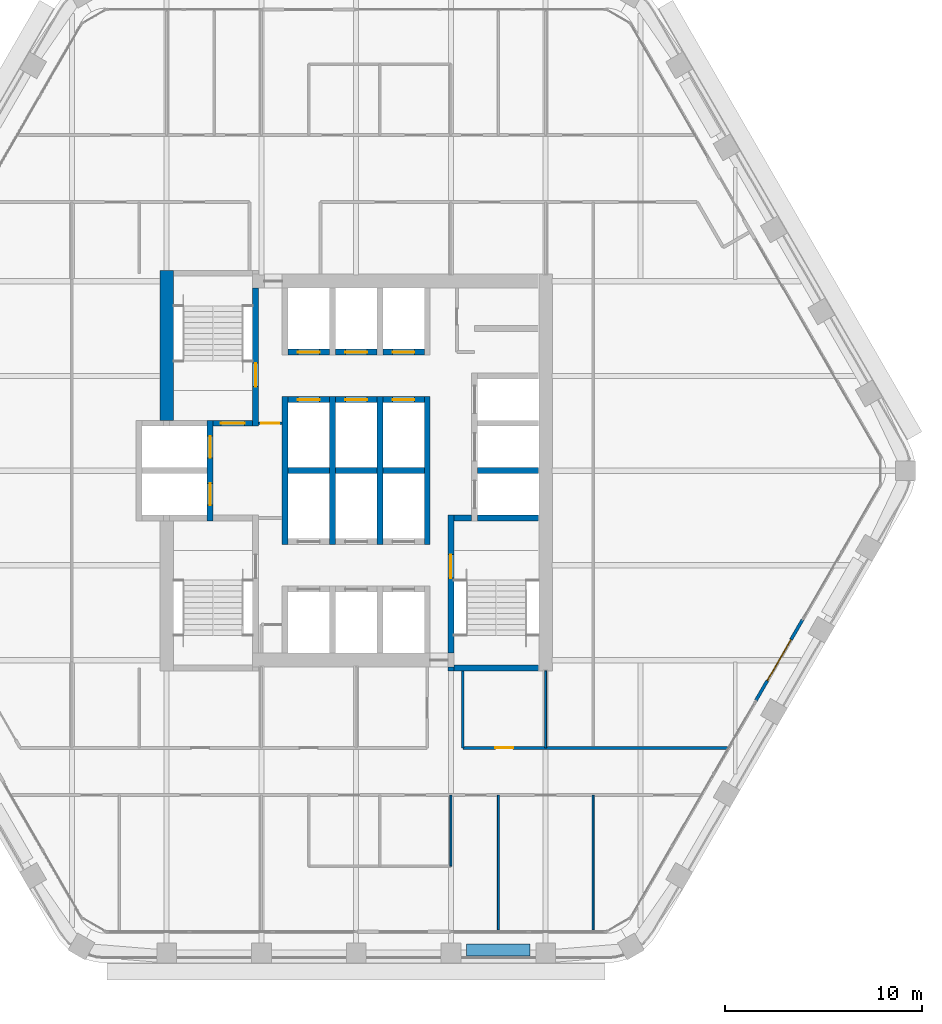
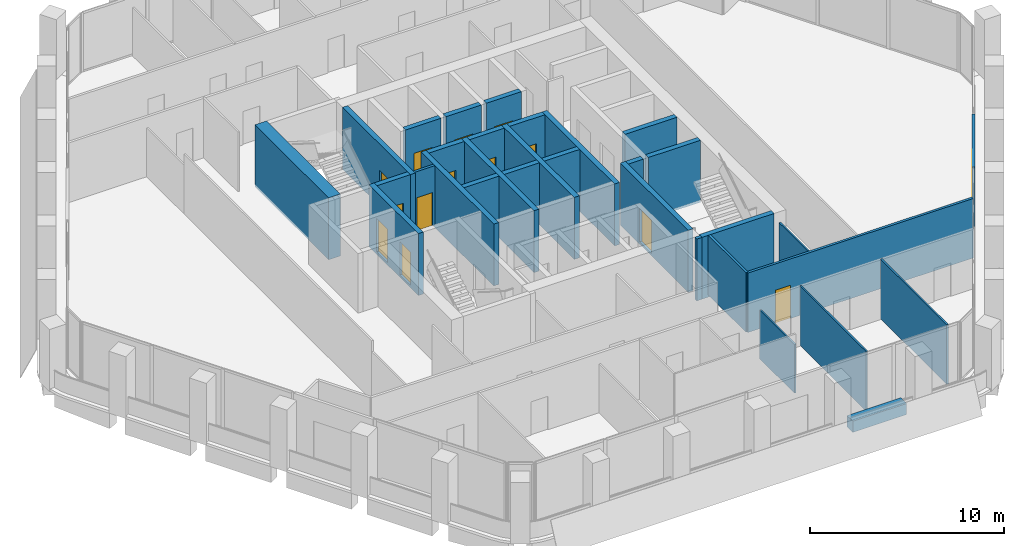
# One storey, part 10 of 15: 32 walls, 14 doors, 14 openings.
"""IFC4 building model written with IfcOpenShell, lengths in metres."""

from ifc_helpers import new_model, si_unit, direction, frame, frame_2d, origin, place, context, subcontext, project, spatial, rectangle, extrude, material, layer, layer_set, type_object, element, fill, save


model = new_model("IFC4")

# Units and contexts
model_context = context("Model", 3, precision=1e-05, world=origin(), true_north=direction((0.0, 1.0)))
body_context = subcontext(model_context, "Body", "Model", "MODEL_VIEW")
ifc_project = project(units=[si_unit("LENGTHUNIT", "METRE"), si_unit("AREAUNIT", "SQUARE_METRE"), si_unit("VOLUMEUNIT", "CUBIC_METRE"), si_unit("PLANEANGLEUNIT", "RADIAN"), si_unit("MASSUNIT", "GRAM", prefix="KILO")], contexts=[model_context])

# Site, building, storey
site_placement = place(None, origin())
site = spatial("IfcSite", under=ifc_project, at=site_placement, CompositionType="ELEMENT")
building_placement = place(site_placement, origin())
building = spatial("IfcBuilding", under=site, at=building_placement, Name="Kolab Exchange Tower", CompositionType="ELEMENT")
storey_placement = place(building_placement, frame((0.0, 0.0, 173.89990234375)))
storey = spatial("IfcBuildingStorey", under=building, at=storey_placement, Name="L36", CompositionType="ELEMENT", Elevation=173.89990234375)

# Wall
ifc_material_1 = material(Name="Concrete C60/75", Category="concrete")
ifc_layer_1 = layer(ifc_material_1, 0.699951171875)
ifc_layer_set_1 = layer_set([ifc_layer_1], Name="Concrete C60/75")
wall_type_1 = type_object("IfcWallType", Name="CORE WALL 700 C60/75", PredefinedType="SHEAR", material=ifc_layer_set_1)
wall_1_placement = place(storey_placement, frame((-9.60009765625, 2.550048828125, -0.14990234375), z_axis=(0.0, 0.0, 1.0), x_axis=(0.0, 1.0, 0.0)))
element("IfcWall", 1, at=wall_1_placement, inside=storey, type_object=wall_type_1, Name="wall/L36/core/037", PredefinedType="SHEAR", context=body_context, shape_type="SweptSolid", body=[
    extrude(rectangle(XDim=7.599853515625, YDim=0.699951171875, at=frame_2d((3.7998046875, 0.0))), origin(), (0.0, 0.0, 1.0), 3.89990234375),
])

# Wall, opening, door
ifc_material_2 = material(Name="Aluminium EN AW-6063 T6", Category="aluminium")
ifc_layer_2 = layer(ifc_material_2, 0.159912109375)
ifc_layer_set_2 = layer_set([ifc_layer_2], Name="Aluminium EN AW-6063 T6")
wall_type_2 = type_object("IfcWallType", Name="DOOR SURROUND WALL 160 ALUMINIUM FRAMED", PredefinedType="PARTITIONING", material=ifc_layer_set_2)
wall_2_placement = place(storey_placement, frame((22.61669921875, -7.5498046875, 0.0), z_axis=(0.0, 0.0, 1.0), x_axis=(-0.5000167099, -0.866015756104, 0.0)))
wall_2 = element("IfcWall", 2, at=wall_2_placement, inside=storey, type_object=wall_type_2, Name="Door surround wall", PredefinedType="PARTITIONING", context=body_context, shape_type="SweptSolid", body=[
    extrude(rectangle(XDim=4.739990234375, YDim=0.159912109375, at=frame_2d((2.3701171875, 0.0))), origin(), (0.0, 0.0, 1.0), 3.75),
])
opening_1_placement = place(wall_2_placement, frame((1.169921875, 0.0, 0.0)))
opening_1 = element("IfcOpeningElement", 3, at=opening_1_placement, cuts=wall_2, Name="Opening GD1-066", PredefinedType="OPENING", context=body_context, shape_type="SweptSolid", body=[
    extrude(rectangle(XDim=2.39990234375, YDim=2.39990234375, at=frame_2d((1.199951171875, 1.199951171875))), frame((0.0, 0.08984375, 0.0), z_axis=(0.0, -1.0, 0.0), x_axis=(1.0, 0.0, 0.0)), (0.0, 0.0, 1.0), 0.179931640625),
])
door_type_1 = type_object("IfcDoorType", Name="LOGGIA SLIDING GLASS DOOR 2400 X 2400", OperationType="DOUBLE_DOOR_SINGLE_SWING", PredefinedType="DOOR", material=ifc_material_2)
door_1_placement = place(opening_1_placement, origin())
door_1 = element("IfcDoor", 4, at=door_1_placement, inside=storey, type_object=door_type_1, Name="Loggia door", OperationType="DOUBLE_DOOR_SLIDING", OverallHeight=2.39990234375, OverallWidth=2.39990234375, PredefinedType="DOOR", context=body_context, shape_type="SweptSolid", body=[
    extrude(rectangle(XDim=2.39990234375, YDim=2.39990234375, at=frame_2d((1.199951171875, 1.199951171875))), frame((0.0, 0.02490234375, 0.0), z_axis=(0.0, -1.0, 0.0), x_axis=(1.0, 0.0, 0.0)), (0.0, 0.0, 1.0), 0.050048828125),
])
fill(opening_1, door_1)

# Walls
ifc_material_3 = material(Name="Concrete C50/60", Category="concrete")
ifc_layer_3 = layer(ifc_material_3, 0.300048828125)
ifc_layer_set_3 = layer_set([ifc_layer_3], Name="Concrete C50/60")
wall_type_3 = type_object("IfcWallType", Name="LIFT SHAFT WALL 300 C50/60", PredefinedType="STANDARD", material=ifc_layer_set_3)
wall_3_placement = place(storey_placement, frame((-3.449951171875, 0.0, -0.14990234375), z_axis=(0.0, 0.0, 1.0), x_axis=(1.0, 0.0, 0.0)))
element("IfcWall", 5, at=wall_3_placement, inside=storey, type_object=wall_type_3, Name="wall/L36/core/015", PredefinedType="STANDARD", context=body_context, shape_type="SweptSolid", body=[
    extrude(rectangle(XDim=2.099853515625, YDim=0.300048828125, at=frame_2d((1.0498046875, 0.0))), origin(), (0.0, 0.0, 1.0), 3.89990234375),
])
wall_4_placement = place(storey_placement, frame((-1.050048828125, 0.0, -0.14990234375), z_axis=(0.0, 0.0, 1.0), x_axis=(1.0, 0.0, 0.0)))
element("IfcWall", 6, at=wall_4_placement, inside=storey, type_object=wall_type_3, Name="wall/L36/core/016", PredefinedType="STANDARD", context=body_context, shape_type="SweptSolid", body=[
    extrude(rectangle(XDim=2.10009765625, YDim=0.300048828125, at=frame_2d((1.050048828125, 0.0))), origin(), (0.0, 0.0, 1.0), 3.89990234375),
])
wall_5_placement = place(storey_placement, frame((1.35009765625, 0.0, -0.14990234375), z_axis=(0.0, 0.0, 1.0), x_axis=(1.0, 0.0, 0.0)))
element("IfcWall", 7, at=wall_5_placement, inside=storey, type_object=wall_type_3, Name="wall/L36/core/017", PredefinedType="STANDARD", context=body_context, shape_type="SweptSolid", body=[
    extrude(rectangle(XDim=2.099853515625, YDim=0.300048828125, at=frame_2d((1.0498046875, 0.0))), origin(), (0.0, 0.0, 1.0), 3.89990234375),
])
wall_6_placement = place(storey_placement, frame((6.14990234375, 0.0, -0.14990234375), z_axis=(0.0, 0.0, 1.0), x_axis=(1.0, 0.0, 0.0)))
element("IfcWall", 8, at=wall_6_placement, inside=storey, type_object=wall_type_3, Name="wall/L36/core/018", PredefinedType="STANDARD", context=body_context, shape_type="SweptSolid", body=[
    extrude(rectangle(XDim=3.10009765625, YDim=0.300048828125, at=frame_2d((1.550048828125, 0.0))), origin(), (0.0, 0.0, 1.0), 3.89990234375),
])

# Wall, opening, door
wall_7_placement = place(storey_placement, frame((-3.449951171875, 3.60009765625, -0.14990234375), z_axis=(0.0, 0.0, 1.0), x_axis=(1.0, 0.0, 0.0)))
wall_7 = element("IfcWall", 9, at=wall_7_placement, inside=storey, type_object=wall_type_3, Name="wall/L36/core/023", PredefinedType="STANDARD", context=body_context, shape_type="SweptSolid", body=[
    extrude(rectangle(XDim=2.099853515625, YDim=0.300048828125, at=frame_2d((1.0498046875, 0.0))), origin(), (0.0, 0.0, 1.0), 3.89990234375),
])
opening_2_placement = place(wall_7_placement, frame((0.5, 0.0, 0.14990234375)))
opening_2 = element("IfcOpeningElement", 10, at=opening_2_placement, cuts=wall_7, Name="Opening LD1-115", PredefinedType="OPENING", context=body_context, shape_type="SweptSolid", body=[
    extrude(rectangle(XDim=1.10009765625, YDim=2.10009765625, at=frame_2d((0.550048828125, 1.050048828125))), frame((0.0, 0.16015625, 0.0), z_axis=(0.0, -1.0, 0.0), x_axis=(1.0, 0.0, 0.0)), (0.0, 0.0, 1.0), 0.320068359375),
])
ifc_material_4 = material(Name="Stainless steel 316", Category="steel")
door_type_2 = type_object("IfcDoorType", Name="LANDING DOOR 1100 PASSENGER", OperationType="DOUBLE_DOOR_SLIDING", PredefinedType="DOOR", material=ifc_material_4)
door_2_placement = place(opening_2_placement, origin())
door_2 = element("IfcDoor", 11, at=door_2_placement, inside=storey, type_object=door_type_2, Name="Landing door HR4", OperationType="DOUBLE_DOOR_SLIDING", OverallHeight=2.10009765625, OverallWidth=1.10009765625, PredefinedType="DOOR", context=body_context, shape_type="SweptSolid", body=[
    extrude(rectangle(XDim=1.10009765625, YDim=2.10009765625, at=frame_2d((0.550048828125, 1.050048828125))), frame((0.0, 0.02490234375, 0.0), z_axis=(0.0, -1.0, 0.0), x_axis=(1.0, 0.0, 0.0)), (0.0, 0.0, 1.0), 0.050048828125),
])
fill(opening_2, door_2)

wall_8_placement = place(storey_placement, frame((-1.050048828125, 3.60009765625, -0.14990234375), z_axis=(0.0, 0.0, 1.0), x_axis=(1.0, 0.0, 0.0)))
wall_8 = element("IfcWall", 12, at=wall_8_placement, inside=storey, type_object=wall_type_3, Name="wall/L36/core/024", PredefinedType="STANDARD", context=body_context, shape_type="SweptSolid", body=[
    extrude(rectangle(XDim=2.10009765625, YDim=0.300048828125, at=frame_2d((1.050048828125, 0.0))), origin(), (0.0, 0.0, 1.0), 3.89990234375),
])
opening_3_placement = place(wall_8_placement, frame((0.5, 0.0, 0.14990234375)))
opening_3 = element("IfcOpeningElement", 13, at=opening_3_placement, cuts=wall_8, Name="Opening LD1-116", PredefinedType="OPENING", context=body_context, shape_type="SweptSolid", body=[
    extrude(rectangle(XDim=1.10009765625, YDim=2.10009765625, at=frame_2d((0.550048828125, 1.050048828125))), frame((0.0, 0.16015625, 0.0), z_axis=(0.0, -1.0, 0.0), x_axis=(1.0, 0.0, 0.0)), (0.0, 0.0, 1.0), 0.320068359375),
])
door_3_placement = place(opening_3_placement, origin())
door_3 = element("IfcDoor", 14, at=door_3_placement, inside=storey, type_object=door_type_2, Name="Landing door HR5", OperationType="DOUBLE_DOOR_SLIDING", OverallHeight=2.10009765625, OverallWidth=1.10009765625, PredefinedType="DOOR", context=body_context, shape_type="SweptSolid", body=[
    extrude(rectangle(XDim=1.10009765625, YDim=2.10009765625, at=frame_2d((0.550048828125, 1.050048828125))), frame((0.0, 0.02490234375, 0.0), z_axis=(0.0, -1.0, 0.0), x_axis=(1.0, 0.0, 0.0)), (0.0, 0.0, 1.0), 0.050048828125),
])
fill(opening_3, door_3)

wall_9_placement = place(storey_placement, frame((1.35009765625, 3.60009765625, -0.14990234375), z_axis=(0.0, 0.0, 1.0), x_axis=(1.0, 0.0, 0.0)))
wall_9 = element("IfcWall", 15, at=wall_9_placement, inside=storey, type_object=wall_type_3, Name="wall/L36/core/025", PredefinedType="STANDARD", context=body_context, shape_type="SweptSolid", body=[
    extrude(rectangle(XDim=2.099853515625, YDim=0.300048828125, at=frame_2d((1.0498046875, 0.0))), origin(), (0.0, 0.0, 1.0), 3.89990234375),
])
opening_4_placement = place(wall_9_placement, frame((0.5, 0.0, 0.14990234375)))
opening_4 = element("IfcOpeningElement", 16, at=opening_4_placement, cuts=wall_9, Name="Opening LD1-117", PredefinedType="OPENING", context=body_context, shape_type="SweptSolid", body=[
    extrude(rectangle(XDim=1.10009765625, YDim=2.10009765625, at=frame_2d((0.550048828125, 1.050048828125))), frame((0.0, 0.16015625, 0.0), z_axis=(0.0, -1.0, 0.0), x_axis=(1.0, 0.0, 0.0)), (0.0, 0.0, 1.0), 0.320068359375),
])
door_4_placement = place(opening_4_placement, origin())
door_4 = element("IfcDoor", 17, at=door_4_placement, inside=storey, type_object=door_type_2, Name="Landing door HR6", OperationType="DOUBLE_DOOR_SLIDING", OverallHeight=2.10009765625, OverallWidth=1.10009765625, PredefinedType="DOOR", context=body_context, shape_type="SweptSolid", body=[
    extrude(rectangle(XDim=1.10009765625, YDim=2.10009765625, at=frame_2d((0.550048828125, 1.050048828125))), frame((0.0, 0.02490234375, 0.0), z_axis=(0.0, -1.0, 0.0), x_axis=(1.0, 0.0, 0.0)), (0.0, 0.0, 1.0), 0.050048828125),
])
fill(opening_4, door_4)

wall_10_placement = place(storey_placement, frame((-3.449951171875, 6.0, -0.14990234375), z_axis=(0.0, 0.0, 1.0), x_axis=(1.0, 0.0, 0.0)))
wall_10 = element("IfcWall", 18, at=wall_10_placement, inside=storey, type_object=wall_type_3, Name="wall/L36/core/027", PredefinedType="STANDARD", context=body_context, shape_type="SweptSolid", body=[
    extrude(rectangle(XDim=2.099853515625, YDim=0.300048828125, at=frame_2d((1.0498046875, 0.0))), origin(), (0.0, 0.0, 1.0), 3.89990234375),
])
opening_5_placement = place(wall_10_placement, frame((0.5, 0.0, 0.14990234375)))
opening_5 = element("IfcOpeningElement", 19, at=opening_5_placement, cuts=wall_10, Name="Opening LD1-109", PredefinedType="OPENING", context=body_context, shape_type="SweptSolid", body=[
    extrude(rectangle(XDim=1.10009765625, YDim=2.10009765625, at=frame_2d((0.550048828125, 1.050048828125))), frame((0.0, 0.16015625, 0.0), z_axis=(0.0, -1.0, 0.0), x_axis=(1.0, 0.0, 0.0)), (0.0, 0.0, 1.0), 0.320068359375),
])
door_5_placement = place(opening_5_placement, origin())
door_5 = element("IfcDoor", 20, at=door_5_placement, inside=storey, type_object=door_type_2, Name="Landing door HR1", OperationType="DOUBLE_DOOR_SLIDING", OverallHeight=2.10009765625, OverallWidth=1.10009765625, PredefinedType="DOOR", context=body_context, shape_type="SweptSolid", body=[
    extrude(rectangle(XDim=1.10009765625, YDim=2.10009765625, at=frame_2d((0.550048828125, 1.050048828125))), frame((0.0, 0.02490234375, 0.0), z_axis=(0.0, -1.0, 0.0), x_axis=(1.0, 0.0, 0.0)), (0.0, 0.0, 1.0), 0.050048828125),
])
fill(opening_5, door_5)

wall_11_placement = place(storey_placement, frame((-1.050048828125, 6.0, -0.14990234375), z_axis=(0.0, 0.0, 1.0), x_axis=(1.0, 0.0, 0.0)))
wall_11 = element("IfcWall", 21, at=wall_11_placement, inside=storey, type_object=wall_type_3, Name="wall/L36/core/028", PredefinedType="STANDARD", context=body_context, shape_type="SweptSolid", body=[
    extrude(rectangle(XDim=2.10009765625, YDim=0.300048828125, at=frame_2d((1.050048828125, 0.0))), origin(), (0.0, 0.0, 1.0), 3.89990234375),
])
opening_6_placement = place(wall_11_placement, frame((0.5, 0.0, 0.14990234375)))
opening_6 = element("IfcOpeningElement", 22, at=opening_6_placement, cuts=wall_11, Name="Opening LD1-113", PredefinedType="OPENING", context=body_context, shape_type="SweptSolid", body=[
    extrude(rectangle(XDim=1.10009765625, YDim=2.10009765625, at=frame_2d((0.550048828125, 1.050048828125))), frame((0.0, 0.16015625, 0.0), z_axis=(0.0, -1.0, 0.0), x_axis=(1.0, 0.0, 0.0)), (0.0, 0.0, 1.0), 0.320068359375),
])
door_6_placement = place(opening_6_placement, origin())
door_6 = element("IfcDoor", 23, at=door_6_placement, inside=storey, type_object=door_type_2, Name="Landing door HR2", OperationType="DOUBLE_DOOR_SLIDING", OverallHeight=2.10009765625, OverallWidth=1.10009765625, PredefinedType="DOOR", context=body_context, shape_type="SweptSolid", body=[
    extrude(rectangle(XDim=1.10009765625, YDim=2.10009765625, at=frame_2d((0.550048828125, 1.050048828125))), frame((0.0, 0.02490234375, 0.0), z_axis=(0.0, -1.0, 0.0), x_axis=(1.0, 0.0, 0.0)), (0.0, 0.0, 1.0), 0.050048828125),
])
fill(opening_6, door_6)

wall_12_placement = place(storey_placement, frame((1.35009765625, 6.0, -0.14990234375), z_axis=(0.0, 0.0, 1.0), x_axis=(1.0, 0.0, 0.0)))
wall_12 = element("IfcWall", 24, at=wall_12_placement, inside=storey, type_object=wall_type_3, Name="wall/L36/core/029", PredefinedType="STANDARD", context=body_context, shape_type="SweptSolid", body=[
    extrude(rectangle(XDim=2.099853515625, YDim=0.300048828125, at=frame_2d((1.0498046875, 0.0))), origin(), (0.0, 0.0, 1.0), 3.89990234375),
])
opening_7_placement = place(wall_12_placement, frame((0.5, 0.0, 0.14990234375)))
opening_7 = element("IfcOpeningElement", 25, at=opening_7_placement, cuts=wall_12, Name="Opening LD1-114", PredefinedType="OPENING", context=body_context, shape_type="SweptSolid", body=[
    extrude(rectangle(XDim=1.10009765625, YDim=2.10009765625, at=frame_2d((0.550048828125, 1.050048828125))), frame((0.0, 0.16015625, 0.0), z_axis=(0.0, -1.0, 0.0), x_axis=(1.0, 0.0, 0.0)), (0.0, 0.0, 1.0), 0.320068359375),
])
door_7_placement = place(opening_7_placement, origin())
door_7 = element("IfcDoor", 26, at=door_7_placement, inside=storey, type_object=door_type_2, Name="Landing door HR3", OperationType="DOUBLE_DOOR_SLIDING", OverallHeight=2.10009765625, OverallWidth=1.10009765625, PredefinedType="DOOR", context=body_context, shape_type="SweptSolid", body=[
    extrude(rectangle(XDim=1.10009765625, YDim=2.10009765625, at=frame_2d((0.550048828125, 1.050048828125))), frame((0.0, 0.02490234375, 0.0), z_axis=(0.0, -1.0, 0.0), x_axis=(1.0, 0.0, 0.0)), (0.0, 0.0, 1.0), 0.050048828125),
])
fill(opening_7, door_7)

# Wall, openings, doors
wall_13_placement = place(storey_placement, frame((-7.39990234375, -2.550048828125, -0.14990234375), z_axis=(0.0, 0.0, 1.0), x_axis=(0.0, 1.0, 0.0)))
wall_13 = element("IfcWall", 27, at=wall_13_placement, inside=storey, type_object=wall_type_3, Name="wall/L36/core/038", PredefinedType="STANDARD", context=body_context, shape_type="SweptSolid", body=[
    extrude(rectangle(XDim=5.10009765625, YDim=0.300048828125, at=frame_2d((2.550048828125, 0.0))), origin(), (0.0, 0.0, 1.0), 3.89990234375),
])
opening_8_placement = place(wall_13_placement, frame((0.800048828125, 0.0, 0.14990234375)))
opening_8 = element("IfcOpeningElement", 28, at=opening_8_placement, cuts=wall_13, Name="Opening LD2-025", PredefinedType="OPENING", context=body_context, shape_type="SweptSolid", body=[
    extrude(rectangle(XDim=1.10009765625, YDim=2.10009765625, at=frame_2d((0.550048828125, 1.050048828125))), frame((0.0, 0.16015625, 0.0), z_axis=(0.0, -1.0, 0.0), x_axis=(1.0, 0.0, 0.0)), (0.0, 0.0, 1.0), 0.320068359375),
])
opening_9_placement = place(wall_13_placement, frame((3.199951171875, 0.0, 0.14990234375)))
opening_9 = element("IfcOpeningElement", 29, at=opening_9_placement, cuts=wall_13, Name="Opening LD2-026", PredefinedType="OPENING", context=body_context, shape_type="SweptSolid", body=[
    extrude(rectangle(XDim=1.10009765625, YDim=2.10009765625, at=frame_2d((0.550048828125, 1.050048828125))), frame((0.0, 0.16015625, 0.0), z_axis=(0.0, -1.0, 0.0), x_axis=(1.0, 0.0, 0.0)), (0.0, 0.0, 1.0), 0.320068359375),
])
door_type_3 = type_object("IfcDoorType", Name="LANDING DOOR 1100 FIREFIGHTING", OperationType="DOUBLE_DOOR_SLIDING", PredefinedType="DOOR", material=ifc_material_4)
door_8_placement = place(opening_8_placement, origin())
door_8 = element("IfcDoor", 30, at=door_8_placement, inside=storey, type_object=door_type_3, Name="Landing door FF1", OperationType="DOUBLE_DOOR_SLIDING", OverallHeight=2.10009765625, OverallWidth=1.10009765625, PredefinedType="DOOR", context=body_context, shape_type="SweptSolid", body=[
    extrude(rectangle(XDim=1.10009765625, YDim=2.10009765625, at=frame_2d((0.550048828125, 1.050048828125))), frame((0.0, 0.02490234375, 0.0), z_axis=(0.0, -1.0, 0.0), x_axis=(1.0, 0.0, 0.0)), (0.0, 0.0, 1.0), 0.050048828125),
])
fill(opening_8, door_8)
door_9_placement = place(opening_9_placement, origin())
door_9 = element("IfcDoor", 31, at=door_9_placement, inside=storey, type_object=door_type_3, Name="Landing door FF2", OperationType="DOUBLE_DOOR_SLIDING", OverallHeight=2.10009765625, OverallWidth=1.10009765625, PredefinedType="DOOR", context=body_context, shape_type="SweptSolid", body=[
    extrude(rectangle(XDim=1.10009765625, YDim=2.10009765625, at=frame_2d((0.550048828125, 1.050048828125))), frame((0.0, 0.02490234375, 0.0), z_axis=(0.0, -1.0, 0.0), x_axis=(1.0, 0.0, 0.0)), (0.0, 0.0, 1.0), 0.050048828125),
])
fill(opening_9, door_9)

# Walls
for number, where, z_axis, x_axis, name in (
    (32, (-3.60009765625, -3.75, -0.14990234375), (0.0, 0.0, 1.0), (0.0, 1.0, 0.0), "wall/L36/core/044"),
    (33, (-1.199951171875, -3.75, -0.14990234375), (0.0, 0.0, 1.0), (0.0, 1.0, 0.0), "wall/L36/core/047"),
    (34, (1.199951171875, -3.75, -0.14990234375), (0.0, 0.0, 1.0), (0.0, 1.0, 0.0), "wall/L36/core/050"),
    (35, (3.60009765625, -3.75, -0.14990234375), (0.0, 0.0, 1.0), (0.0, 1.0, 0.0), "wall/L36/core/053"),
):
    element("IfcWall", number, at=place(storey_placement, frame(where, z_axis=z_axis, x_axis=x_axis)), inside=storey, type_object=wall_type_3, Name=name, PredefinedType="STANDARD", context=body_context, shape_type="SweptSolid", body=[
        extrude(rectangle(XDim=7.5, YDim=0.300048828125, at=frame_2d((3.75, 0.0))), origin(), (0.0, 0.0, 1.0), 3.89990234375),
    ])
ifc_material_5 = material(Name="Gypsum board", Category="gypsum")
ifc_layer_4 = layer(ifc_material_5, 0.10009765625)
ifc_layer_set_4 = layer_set([ifc_layer_4], Name="Gypsum board")
wall_type_4 = type_object("IfcWallType", Name="PARTITION 100", PredefinedType="PARTITIONING", material=ifc_layer_set_4)
wall_14_placement = place(storey_placement, frame((12.0, -23.271484375, 0.0), z_axis=(0.0, 0.0, 1.0), x_axis=(0.0, 1.0, 0.0)))
element("IfcWall", 36, at=wall_14_placement, inside=storey, type_object=wall_type_4, Name="Partition 000", PredefinedType="PARTITIONING", context=body_context, shape_type="SweptSolid", body=[
    extrude(rectangle(XDim=6.830078125, YDim=0.10009765625, at=frame_2d((3.4150390625, 0.0))), origin(), (0.0, 0.0, 1.0), 3.75),
])
wall_15_placement = place(storey_placement, frame((9.60009765625, -14.04150390625, 0.0), z_axis=(0.0, 0.0, 1.0), x_axis=(0.0, 1.0, 0.0)))
element("IfcWall", 37, at=wall_15_placement, inside=storey, type_object=wall_type_4, Name="Partition 002", PredefinedType="PARTITIONING", context=body_context, shape_type="SweptSolid", body=[
    extrude(rectangle(XDim=3.8916015625, YDim=0.10009765625, at=frame_2d((1.94580078125, 0.0))), origin(), (0.0, 0.0, 1.0), 3.066162109375),
])
wall_16_placement = place(storey_placement, frame((7.199951171875, -23.271484375, 0.0), z_axis=(0.0, 0.0, 1.0), x_axis=(0.0, 1.0, 0.0)))
element("IfcWall", 38, at=wall_16_placement, inside=storey, type_object=wall_type_4, Name="Partition 005", PredefinedType="PARTITIONING", context=body_context, shape_type="SweptSolid", body=[
    extrude(rectangle(XDim=6.830078125, YDim=0.10009765625, at=frame_2d((3.4150390625, 0.0))), origin(), (0.0, 0.0, 1.0), 3.75),
])
wall_17_placement = place(storey_placement, frame((4.800048828125, -20.04150390625, 0.0), z_axis=(0.0, 0.0, 1.0), x_axis=(0.0, 1.0, 0.0)))
element("IfcWall", 39, at=wall_17_placement, inside=storey, type_object=wall_type_4, Name="Partition 009", PredefinedType="PARTITIONING", context=body_context, shape_type="SweptSolid", body=[
    extrude(rectangle(XDim=3.60009765625, YDim=0.10009765625, at=frame_2d((1.800048828125, 0.0))), origin(), (0.0, 0.0, 1.0), 3.066162109375),
])
ifc_layer_5 = layer(ifc_material_5, 0.14990234375)
ifc_layer_set_5 = layer_set([ifc_layer_5], Name="Gypsum board")
wall_type_5 = type_object("IfcWallType", Name="PARTITION 150 FIRE-RATED", PredefinedType="PARTITIONING", material=ifc_layer_set_5)
wall_18_placement = place(storey_placement, frame((5.39990234375, -14.04150390625, 0.0), z_axis=(0.0, 0.0, 1.0), x_axis=(0.0, 1.0, 0.0)))
element("IfcWall", 40, at=wall_18_placement, inside=storey, type_object=wall_type_5, Name="Partition 007", PredefinedType="PARTITIONING", context=body_context, shape_type="SweptSolid", body=[
    extrude(rectangle(XDim=3.8916015625, YDim=0.14990234375, at=frame_2d((1.94580078125, 0.0))), origin(), (0.0, 0.0, 1.0), 3.75),
])

# Wall, opening, door
wall_19_placement = place(storey_placement, frame((5.39990234375, -14.04150390625, 0.0), z_axis=(0.0, 0.0, 1.0), x_axis=(1.0, 0.0, 0.0)))
wall_19 = element("IfcWall", 41, at=wall_19_placement, inside=storey, type_object=wall_type_5, Name="Partition 037", PredefinedType="PARTITIONING", context=body_context, shape_type="SweptSolid", body=[
    extrude(rectangle(XDim=13.422607421875, YDim=0.14990234375, at=frame_2d((6.71142578125, 0.0))), origin(), (0.0, 0.0, 1.0), 3.75),
])
opening_10_placement = place(wall_19_placement, frame((1.64990234375, 0.0, 0.0)))
opening_10 = element("IfcOpeningElement", 42, at=opening_10_placement, cuts=wall_19, Name="Opening D3-051", PredefinedType="OPENING", context=body_context, shape_type="SweptSolid", body=[
    extrude(rectangle(XDim=0.89990234375, YDim=2.10009765625, at=frame_2d((0.449951171875, 1.050048828125))), frame((0.0, 0.0849609375, 0.0), z_axis=(0.0, -1.0, 0.0), x_axis=(1.0, 0.0, 0.0)), (0.0, 0.0, 1.0), 0.169921875),
])
ifc_material_6 = material(Name="Steel S235", Category="steel")
door_type_4 = type_object("IfcDoorType", Name="FLUSH DOOR 900 FD60", OperationType="SINGLE_SWING_LEFT", PredefinedType="DOOR", material=ifc_material_6)
door_10_placement = place(opening_10_placement, origin())
door_10 = element("IfcDoor", 43, at=door_10_placement, inside=storey, type_object=door_type_4, Name="Door L36-034", OperationType="SINGLE_SWING_LEFT", OverallHeight=2.10009765625, OverallWidth=0.89990234375, PredefinedType="DOOR", context=body_context, shape_type="SweptSolid", body=[
    extrude(rectangle(XDim=0.89990234375, YDim=2.10009765625, at=frame_2d((0.449951171875, 1.050048828125))), frame((0.0, 0.02490234375, 0.0), z_axis=(0.0, -1.0, 0.0), x_axis=(1.0, 0.0, 0.0)), (0.0, 0.0, 1.0), 0.050048828125),
])
fill(opening_10, door_10)

wall_20_placement = place(storey_placement, frame((-4.949951171875, 2.39990234375, 0.0), z_axis=(0.0, 0.0, 1.0), x_axis=(1.0, 0.0, 0.0)))
wall_20 = element("IfcWall", 44, at=wall_20_placement, inside=storey, type_object=wall_type_5, Name="Fire partition", PredefinedType="PARTITIONING", context=body_context, shape_type="SweptSolid", body=[
    extrude(rectangle(XDim=1.199951171875, YDim=0.14990234375, at=frame_2d((0.60009765625, 0.0))), origin(), (0.0, 0.0, 1.0), 3.75),
])
opening_11_placement = place(wall_20_placement, frame((0.14990234375, 0.0, 0.0)))
opening_11 = element("IfcOpeningElement", 45, at=opening_11_placement, cuts=wall_20, Name="Opening D6-288", PredefinedType="OPENING", context=body_context, shape_type="SweptSolid", body=[
    extrude(rectangle(XDim=0.89990234375, YDim=2.10009765625, at=frame_2d((0.449951171875, 1.050048828125))), frame((0.0, 0.0849609375, 0.0), z_axis=(0.0, -1.0, 0.0), x_axis=(1.0, 0.0, 0.0)), (0.0, 0.0, 1.0), 0.169921875),
])
door_type_5 = type_object("IfcDoorType", Name="CORE DOOR 900 EI 120", OperationType="SINGLE_SWING_LEFT", PredefinedType="DOOR", material=ifc_material_6)
door_11_placement = place(opening_11_placement, frame((0.89990234375, 0.0, 0.0), z_axis=(0.0, 0.0, 1.0), x_axis=(-1.0, 0.0, 0.0)))
door_11 = element("IfcDoor", 46, at=door_11_placement, inside=storey, type_object=door_type_5, Name="Firefighting lobby door", OperationType="SINGLE_SWING_RIGHT", OverallHeight=2.10009765625, OverallWidth=0.89990234375, PredefinedType="DOOR", context=body_context, shape_type="SweptSolid", body=[
    extrude(rectangle(XDim=0.89990234375, YDim=2.10009765625, at=frame_2d((0.449951171875, 1.050048828125))), frame((0.0, 0.02490234375, 0.0), z_axis=(0.0, -1.0, 0.0), x_axis=(1.0, 0.0, 0.0)), (0.0, 0.0, 1.0), 0.050048828125),
])
fill(opening_11, door_11)

# Walls
ifc_material_7 = material(Name="Granite facing", Category="masonry")
ifc_layer_6 = layer(ifc_material_7, 0.0400390625)
ifc_material_8 = material(Name="Concrete C40/50 precast", Category="concrete")
ifc_layer_7 = layer(ifc_material_8, 0.56005859375)
ifc_layer_set_6 = layer_set([ifc_layer_6, ifc_layer_7], Name="Concrete C40/50 precast")
wall_type_6 = type_object("IfcWallType", Name="PLANTER BOX 600 X 700 SOIL DEPTH 550", PredefinedType="USERDEFINED", material=ifc_layer_set_6)
wall_21_placement = place(storey_placement, frame((8.800048828125, -24.29150390625, 0.0), z_axis=(0.0, 0.0, 1.0), x_axis=(-1.0, 0.0, 0.0)))
element("IfcWall", 47, at=wall_21_placement, inside=storey, type_object=wall_type_6, Name="Planter", ObjectType="PLANTER", PredefinedType="USERDEFINED", context=body_context, shape_type="SweptSolid", body=[
    extrude(rectangle(XDim=3.199951171875, YDim=0.60009765625, at=frame_2d((1.60009765625, 0.0))), origin(), (0.0, 0.0, 1.0), 0.7001953125),
])
ifc_layer_8 = layer(ifc_material_3, 0.300048828125)
ifc_layer_set_7 = layer_set([ifc_layer_8], Name="Concrete C50/60")
wall_type_7 = type_object("IfcWallType", Name="STAIR ENCLOSURE WALL 300 C50/60", PredefinedType="STANDARD", material=ifc_layer_set_7)
wall_22_placement = place(storey_placement, frame((4.949951171875, -10.0, -0.14990234375), z_axis=(0.0, 0.0, 1.0), x_axis=(1.0, 0.0, 0.0)))
element("IfcWall", 48, at=wall_22_placement, inside=storey, type_object=wall_type_7, Name="wall/L36/core/001", PredefinedType="STANDARD", context=body_context, shape_type="SweptSolid", body=[
    extrude(rectangle(XDim=4.300048828125, YDim=0.300048828125, at=frame_2d((2.14990234375, 0.0))), origin(), (0.0, 0.0, 1.0), 3.89990234375),
])
wall_23_placement = place(storey_placement, frame((4.949951171875, -2.39990234375, -0.14990234375), z_axis=(0.0, 0.0, 1.0), x_axis=(1.0, 0.0, 0.0)))
element("IfcWall", 49, at=wall_23_placement, inside=storey, type_object=wall_type_7, Name="wall/L36/core/012", PredefinedType="STANDARD", context=body_context, shape_type="SweptSolid", body=[
    extrude(rectangle(XDim=0.900146484375, YDim=0.300048828125, at=frame_2d((0.4501953125, 0.0))), origin(), (0.0, 0.0, 1.0), 3.89990234375),
])
wall_24_placement = place(storey_placement, frame((6.14990234375, -2.39990234375, -0.14990234375), z_axis=(0.0, 0.0, 1.0), x_axis=(1.0, 0.0, 0.0)))
element("IfcWall", 50, at=wall_24_placement, inside=storey, type_object=wall_type_7, Name="wall/L36/core/013", PredefinedType="STANDARD", context=body_context, shape_type="SweptSolid", body=[
    extrude(rectangle(XDim=3.10009765625, YDim=0.300048828125, at=frame_2d((1.550048828125, 0.0))), origin(), (0.0, 0.0, 1.0), 3.89990234375),
])

# Wall, opening, door
wall_25_placement = place(storey_placement, frame((-7.25, 2.39990234375, -0.14990234375), z_axis=(0.0, 0.0, 1.0), x_axis=(1.0, 0.0, 0.0)))
wall_25 = element("IfcWall", 51, at=wall_25_placement, inside=storey, type_object=wall_type_7, Name="wall/L36/core/021", PredefinedType="STANDARD", context=body_context, shape_type="SweptSolid", body=[
    extrude(rectangle(XDim=2.0, YDim=0.300048828125, at=frame_2d((1.0, 0.0))), origin(), (0.0, 0.0, 1.0), 3.89990234375),
])
opening_12_placement = place(wall_25_placement, frame((0.39990234375, 0.0, 0.14990234375)))
opening_12 = element("IfcOpeningElement", 52, at=opening_12_placement, cuts=wall_25, Name="Opening D4-065", PredefinedType="OPENING", context=body_context, shape_type="SweptSolid", body=[
    extrude(rectangle(XDim=1.199951171875, YDim=2.10009765625, at=frame_2d((0.60009765625, 1.050048828125))), frame((0.0, 0.16015625, 0.0), z_axis=(0.0, -1.0, 0.0), x_axis=(1.0, 0.0, 0.0)), (0.0, 0.0, 1.0), 0.320068359375),
])
door_type_6 = type_object("IfcDoorType", Name="STAIR DOOR 1200 EI 120", OperationType="SINGLE_SWING_LEFT", PredefinedType="DOOR", material=ifc_material_6)
door_12_placement = place(opening_12_placement, origin())
door_12 = element("IfcDoor", 53, at=door_12_placement, inside=storey, type_object=door_type_6, Name="Stair 1 door", OperationType="SINGLE_SWING_RIGHT", OverallHeight=2.10009765625, OverallWidth=1.199951171875, PredefinedType="DOOR", context=body_context, shape_type="SweptSolid", body=[
    extrude(rectangle(XDim=1.199951171875, YDim=2.10009765625, at=frame_2d((0.60009765625, 1.050048828125))), frame((0.0, 0.02490234375, 0.0), z_axis=(0.0, -1.0, 0.0), x_axis=(1.0, 0.0, 0.0)), (0.0, 0.0, 1.0), 0.050048828125),
])
fill(opening_12, door_12)

wall_26_placement = place(storey_placement, frame((-5.10009765625, 2.25, -0.14990234375), z_axis=(0.0, 0.0, 1.0), x_axis=(0.0, 1.0, 0.0)))
wall_26 = element("IfcWall", 54, at=wall_26_placement, inside=storey, type_object=wall_type_7, Name="wall/L36/core/041", PredefinedType="STANDARD", context=body_context, shape_type="SweptSolid", body=[
    extrude(rectangle(XDim=7.0, YDim=0.300048828125, at=frame_2d((3.5, 0.0))), origin(), (0.0, 0.0, 1.0), 3.89990234375),
])
opening_13_placement = place(wall_26_placement, frame((2.0, 0.0, 0.14990234375)))
opening_13 = element("IfcOpeningElement", 55, at=opening_13_placement, cuts=wall_26, Name="Opening D4-066", PredefinedType="OPENING", context=body_context, shape_type="SweptSolid", body=[
    extrude(rectangle(XDim=1.199951171875, YDim=2.10009765625, at=frame_2d((0.60009765625, 1.050048828125))), frame((0.0, 0.16015625, 0.0), z_axis=(0.0, -1.0, 0.0), x_axis=(1.0, 0.0, 0.0)), (0.0, 0.0, 1.0), 0.320068359375),
])
door_13_placement = place(opening_13_placement, origin())
door_13 = element("IfcDoor", 56, at=door_13_placement, inside=storey, type_object=door_type_6, Name="Stair 1 door", OperationType="SINGLE_SWING_LEFT", OverallHeight=2.10009765625, OverallWidth=1.199951171875, PredefinedType="DOOR", context=body_context, shape_type="SweptSolid", body=[
    extrude(rectangle(XDim=1.199951171875, YDim=2.10009765625, at=frame_2d((0.60009765625, 1.050048828125))), frame((0.0, 0.02490234375, 0.0), z_axis=(0.0, -1.0, 0.0), x_axis=(1.0, 0.0, 0.0)), (0.0, 0.0, 1.0), 0.050048828125),
])
fill(opening_13, door_13)

# Wall
wall_27_placement = place(storey_placement, frame((4.800048828125, -10.14990234375, -0.14990234375), z_axis=(0.0, 0.0, 1.0), x_axis=(0.0, 1.0, 0.0)))
element("IfcWall", 57, at=wall_27_placement, inside=storey, type_object=wall_type_7, Name="wall/L36/core/055", PredefinedType="STANDARD", context=body_context, shape_type="SweptSolid", body=[
    extrude(rectangle(XDim=0.199951171875, YDim=0.300048828125, at=frame_2d((0.10009765625, 0.0))), origin(), (0.0, 0.0, 1.0), 3.89990234375),
])

# Wall, opening, door
wall_28_placement = place(storey_placement, frame((4.800048828125, -9.25, -0.14990234375), z_axis=(0.0, 0.0, 1.0), x_axis=(0.0, 1.0, 0.0)))
wall_28 = element("IfcWall", 58, at=wall_28_placement, inside=storey, type_object=wall_type_7, Name="wall/L36/core/056", PredefinedType="STANDARD", context=body_context, shape_type="SweptSolid", body=[
    extrude(rectangle(XDim=7.0, YDim=0.300048828125, at=frame_2d((3.5, 0.0))), origin(), (0.0, 0.0, 1.0), 3.89990234375),
])
opening_14_placement = place(wall_28_placement, frame((3.800048828125, 0.0, 0.14990234375)))
opening_14 = element("IfcOpeningElement", 59, at=opening_14_placement, cuts=wall_28, Name="Opening D4-067", PredefinedType="OPENING", context=body_context, shape_type="SweptSolid", body=[
    extrude(rectangle(XDim=1.199951171875, YDim=2.10009765625, at=frame_2d((0.60009765625, 1.050048828125))), frame((0.0, 0.16015625, 0.0), z_axis=(0.0, -1.0, 0.0), x_axis=(1.0, 0.0, 0.0)), (0.0, 0.0, 1.0), 0.320068359375),
])
door_14_placement = place(opening_14_placement, frame((1.199951171875, 0.0, 0.0), z_axis=(0.0, 0.0, 1.0), x_axis=(-1.0, 0.0, 0.0)))
door_14 = element("IfcDoor", 60, at=door_14_placement, inside=storey, type_object=door_type_6, Name="Stair 2 door", OperationType="SINGLE_SWING_RIGHT", OverallHeight=2.10009765625, OverallWidth=1.199951171875, PredefinedType="DOOR", context=body_context, shape_type="SweptSolid", body=[
    extrude(rectangle(XDim=1.199951171875, YDim=2.10009765625, at=frame_2d((0.60009765625, 1.050048828125))), frame((0.0, 0.02490234375, 0.0), z_axis=(0.0, -1.0, 0.0), x_axis=(1.0, 0.0, 0.0)), (0.0, 0.0, 1.0), 0.050048828125),
])
fill(opening_14, door_14)

save(model, "model.ifc")
